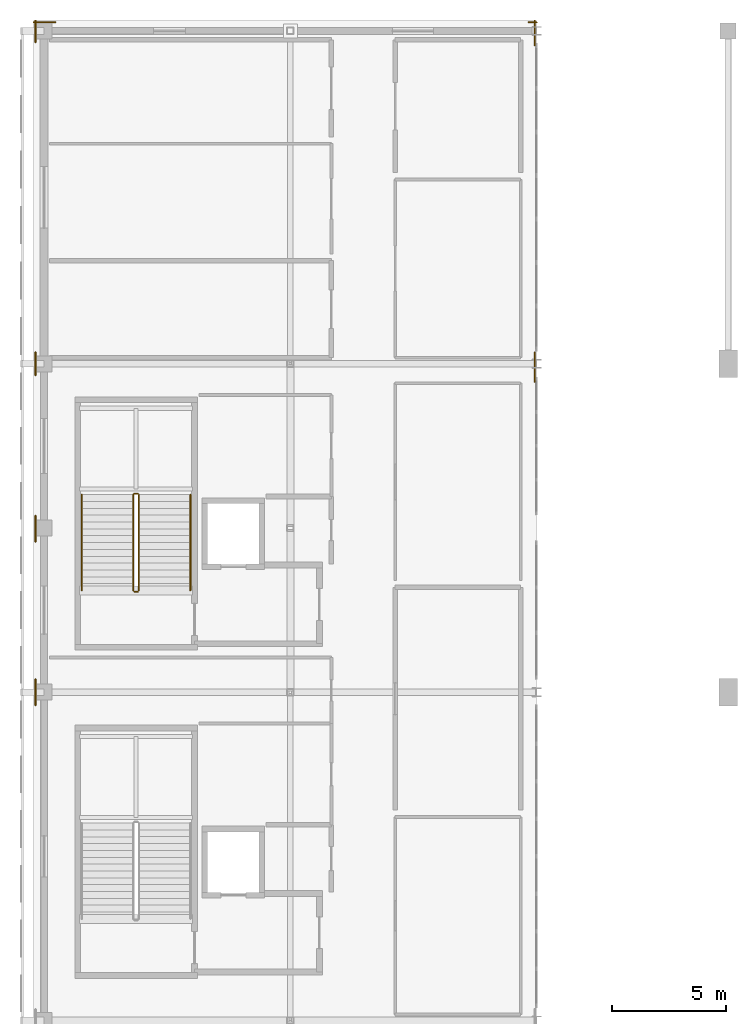
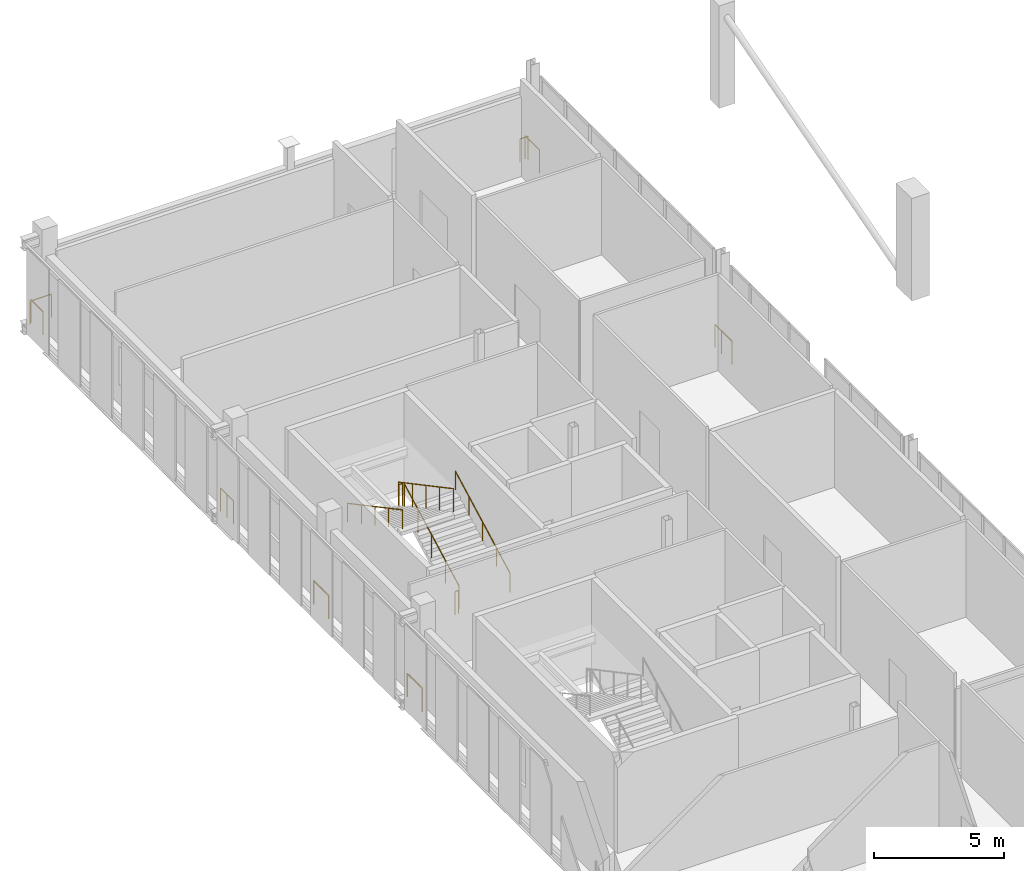
# One storey, part 47 of 51: 16 railings.
"""IFC4 building model written with IfcOpenShell, lengths in metres."""

from ifc_helpers import new_model, si_unit, direction, frame, origin, origin_2d, place, context, subcontext, project, spatial, circle, extrude, material, type_object, element, save


model = new_model("IFC4")

# Units and contexts
model_context = context("Model", 3, precision=1e-05, world=origin(), true_north=direction((0.0, 1.0)))
body_context = subcontext(model_context, "Body", "Model", "MODEL_VIEW")
ifc_project = project(units=[si_unit("LENGTHUNIT", "METRE"), si_unit("AREAUNIT", "SQUARE_METRE"), si_unit("VOLUMEUNIT", "CUBIC_METRE"), si_unit("PLANEANGLEUNIT", "RADIAN"), si_unit("MASSUNIT", "GRAM", prefix="KILO")], contexts=[model_context])

# Site, building, storey
site_placement = place(None, origin())
site = spatial("IfcSite", under=ifc_project, at=site_placement, CompositionType="ELEMENT")
building_placement = place(site_placement, origin())
building = spatial("IfcBuilding", under=site, at=building_placement, Name="Koshinbarg Plaza Stadium", CompositionType="ELEMENT")
storey_placement = place(building_placement, frame((0.0, 0.0, 24.60009765625)))
storey = spatial("IfcBuildingStorey", under=building, at=storey_placement, Name="L05", CompositionType="ELEMENT", Elevation=24.60009765625)

# Railings
ifc_material_1 = material(Name="Toughened laminated glass and stainless steel sightline balustrade", Category="steel")
railing_type_1 = type_object("IfcRailingType", Name="RL-BOWL-1100", PredefinedType="BALUSTRADE", material=ifc_material_1)
railing_1_placement = place(storey_placement, frame((24.22509765625, 96.927001953125, 0.0)))
element("IfcRailing", 1, at=railing_1_placement, inside=storey, type_object=railing_type_1, Name="L05 deck edge safety balustrade 0361", PredefinedType="BALUSTRADE", context=body_context, shape_type="SweptSolid", body=[
    extrude(circle(Radius=0.02392578125, at=origin_2d()), frame((0.0, 0.0, 1.076171875), z_axis=(0.0, 1.0, 0.0), x_axis=(-1.0, 0.0, 0.0)), (0.0, 0.0, 1.0), 1.14599609375),
    extrude(circle(Radius=0.02099609375, at=origin_2d()), origin(), (0.0, 0.0, 1.0), 1.052001953125),
    extrude(circle(Radius=0.02099609375, at=origin_2d()), frame((0.0, 1.14599609375, 0.0)), (0.0, 0.0, 1.0), 1.052001953125),
])
railing_2_placement = place(storey_placement, frame((24.22509765625, 104.089599609375, 0.0)))
element("IfcRailing", 2, at=railing_2_placement, inside=storey, type_object=railing_type_1, Name="L05 deck edge safety balustrade 0362", PredefinedType="BALUSTRADE", context=body_context, shape_type="SweptSolid", body=[
    extrude(circle(Radius=0.02392578125, at=origin_2d()), frame((0.0, 0.0, 1.076171875), z_axis=(0.0, 1.0, 0.0), x_axis=(-1.0, 0.0, 0.0)), (0.0, 0.0, 1.0), 1.146240234375),
    extrude(circle(Radius=0.02099609375, at=origin_2d()), origin(), (0.0, 0.0, 1.0), 1.052001953125),
    extrude(circle(Radius=0.02099609375, at=origin_2d()), frame((0.0, 1.146240234375, 0.0)), (0.0, 0.0, 1.0), 1.052001953125),
])
railing_3_placement = place(storey_placement, frame((24.22509765625, 111.401611328125, 0.0)))
element("IfcRailing", 3, at=railing_3_placement, inside=storey, type_object=railing_type_1, Name="L05 deck edge safety balustrade 0363", PredefinedType="BALUSTRADE", context=body_context, shape_type="SweptSolid", body=[
    extrude(circle(Radius=0.02392578125, at=origin_2d()), frame((0.0, 0.0, 1.076171875), z_axis=(0.0, 1.0, 0.0), x_axis=(-1.0, 0.0, 0.0)), (0.0, 0.0, 1.0), 0.498291015625),
    extrude(circle(Radius=0.02099609375, at=origin_2d()), origin(), (0.0, 0.0, 1.0), 1.052001953125),
    extrude(circle(Radius=0.02099609375, at=origin_2d()), frame((0.0, 0.498291015625, 0.0)), (0.0, 0.0, 1.0), 1.052001953125),
])
railing_4_placement = place(storey_placement, frame((46.1201171875, 111.89990234375, 0.0)))
element("IfcRailing", 4, at=railing_4_placement, inside=storey, type_object=railing_type_1, Name="L05 deck edge safety balustrade 0364", PredefinedType="BALUSTRADE", context=body_context, shape_type="SweptSolid", body=[
    extrude(circle(Radius=0.02392578125, at=origin_2d()), frame((0.0, 0.0, 1.076171875), z_axis=(0.0, -1.0, 0.0), x_axis=(1.0, 0.0, 0.0)), (0.0, 0.0, 1.0), 0.796875),
    extrude(circle(Radius=0.02099609375, at=origin_2d()), origin(), (0.0, 0.0, 1.0), 1.052001953125),
    extrude(circle(Radius=0.02099609375, at=origin_2d()), frame((0.0, -0.796875, 0.0)), (0.0, 0.0, 1.0), 1.052001953125),
])
railing_5_placement = place(storey_placement, frame((24.22509765625, 111.89990234375, 0.0)))
element("IfcRailing", 5, at=railing_5_placement, inside=storey, type_object=railing_type_1, Name="L05 deck edge safety balustrade 0366", PredefinedType="BALUSTRADE", context=body_context, shape_type="SweptSolid", body=[
    extrude(circle(Radius=0.02392578125, at=origin_2d()), frame((0.0, 0.0, 1.076171875), z_axis=(0.0, 1.0, 0.0), x_axis=(-1.0, 0.0, 0.0)), (0.0, 0.0, 1.0), 0.498291015625),
    extrude(circle(Radius=0.02099609375, at=origin_2d()), origin(), (0.0, 0.0, 1.0), 1.052001953125),
    extrude(circle(Radius=0.02099609375, at=origin_2d()), frame((0.0, 0.498291015625, 0.0)), (0.0, 0.0, 1.0), 1.052001953125),
])
railing_6_placement = place(storey_placement, frame((24.22509765625, 126.009765625, 0.0)))
element("IfcRailing", 6, at=railing_6_placement, inside=storey, type_object=railing_type_1, Name="L05 deck edge safety balustrade 0367", PredefinedType="BALUSTRADE", context=body_context, shape_type="SweptSolid", body=[
    extrude(circle(Radius=0.02392578125, at=origin_2d()), frame((0.0, 0.0, 1.076171875), z_axis=(0.0, 1.0, 0.0), x_axis=(-1.0, 0.0, 0.0)), (0.0, 0.0, 1.0), 0.9453125),
    extrude(circle(Radius=0.02099609375, at=origin_2d()), origin(), (0.0, 0.0, 1.0), 1.052001953125),
    extrude(circle(Radius=0.02099609375, at=origin_2d()), frame((0.0, 0.9453125, 0.0)), (0.0, 0.0, 1.0), 1.052001953125),
])
railing_7_placement = place(storey_placement, frame((24.14501953125, 126.875, 0.0)))
element("IfcRailing", 7, at=railing_7_placement, inside=storey, type_object=railing_type_1, Name="L05 deck edge safety balustrade 0368", PredefinedType="BALUSTRADE", context=body_context, shape_type="SweptSolid", body=[
    extrude(circle(Radius=0.02392578125, at=origin_2d()), frame((0.0, 0.0, 1.076171875), z_axis=(1.0, 0.0, 0.0), x_axis=(0.0, 1.0, 0.0)), (0.0, 0.0, 1.0), 0.945068359375),
    extrude(circle(Radius=0.02099609375, at=origin_2d()), origin(), (0.0, 0.0, 1.0), 1.052001953125),
    extrude(circle(Radius=0.02099609375, at=origin_2d()), frame((0.945068359375, 0.0, 0.0)), (0.0, 0.0, 1.0), 1.052001953125),
])
railing_8_placement = place(storey_placement, frame((45.85107421875, 126.875, 0.0)))
element("IfcRailing", 8, at=railing_8_placement, inside=storey, type_object=railing_type_1, Name="L05 deck edge safety balustrade 0369", PredefinedType="BALUSTRADE", context=body_context, shape_type="SweptSolid", body=[
    extrude(circle(Radius=0.02392578125, at=origin_2d()), frame((0.0, 0.0, 1.076171875), z_axis=(1.0, 0.0, 0.0), x_axis=(0.0, 1.0, 0.0)), (0.0, 0.0, 1.0), 0.348876953125),
    extrude(circle(Radius=0.02099609375, at=origin_2d()), origin(), (0.0, 0.0, 1.0), 1.052001953125),
    extrude(circle(Radius=0.02099609375, at=origin_2d()), frame((0.348876953125, 0.0, 0.0)), (0.0, 0.0, 1.0), 1.052001953125),
])
railing_9_placement = place(storey_placement, frame((46.1201171875, 126.955078125, 0.0)))
element("IfcRailing", 9, at=railing_9_placement, inside=storey, type_object=railing_type_1, Name="L05 deck edge safety balustrade 0370", PredefinedType="BALUSTRADE", context=body_context, shape_type="SweptSolid", body=[
    extrude(circle(Radius=0.02392578125, at=origin_2d()), frame((0.0, 0.0, 1.076171875), z_axis=(0.0, -1.0, 0.0), x_axis=(1.0, 0.0, 0.0)), (0.0, 0.0, 1.0), 1.094482421875),
    extrude(circle(Radius=0.02099609375, at=origin_2d()), origin(), (0.0, 0.0, 1.0), 1.052001953125),
    extrude(circle(Radius=0.02099609375, at=origin_2d()), frame((0.0, -1.094482421875, 0.0)), (0.0, 0.0, 1.0), 1.052001953125),
])
railing_10_placement = place(storey_placement, frame((46.1201171875, 112.398193359375, 0.0)))
element("IfcRailing", 10, at=railing_10_placement, inside=storey, type_object=railing_type_1, Name="L05 deck edge safety balustrade 0371", PredefinedType="BALUSTRADE", context=body_context, shape_type="SweptSolid", body=[
    extrude(circle(Radius=0.02392578125, at=origin_2d()), frame((0.0, 0.0, 1.076171875), z_axis=(0.0, -1.0, 0.0), x_axis=(1.0, 0.0, 0.0)), (0.0, 0.0, 1.0), 0.498291015625),
    extrude(circle(Radius=0.02099609375, at=origin_2d()), origin(), (0.0, 0.0, 1.0), 1.052001953125),
    extrude(circle(Radius=0.02099609375, at=origin_2d()), frame((0.0, -0.498291015625, 0.0)), (0.0, 0.0, 1.0), 1.052001953125),
])
ifc_material_2 = material(Name="Galvanized painted steel guardrail", Category="steel")
railing_type_2 = type_object("IfcRailingType", Name="RL-GUARD-1100", PredefinedType="GUARDRAIL", material=ifc_material_2)
railing_11_placement = place(storey_placement, frame((28.760009765625, 101.9599609375, 0.159912109375)))
element("IfcRailing", 11, at=railing_11_placement, inside=storey, type_object=railing_type_2, Name="L05 C06 stair guard 1", PredefinedType="GUARDRAIL", context=body_context, shape_type="SweptSolid", body=[
    extrude(circle(Radius=0.02392578125, at=origin_2d()), frame((0.0, 0.0, 1.076171875), z_axis=(0.0, 0.882351521365, 0.470590897432), x_axis=(-1.0, 0.0, 0.0)), (0.0, 0.0, 1.0), 4.760009765625),
    extrude(circle(Radius=0.02099609375, at=origin_2d()), origin(), (0.0, 0.0, 1.0), 1.052001953125),
    extrude(circle(Radius=0.02099609375, at=origin_2d()), frame((0.0, 1.050048828125, 0.56005859375)), (0.0, 0.0, 1.0), 1.052001953125),
    extrude(circle(Radius=0.02099609375, at=origin_2d()), frame((0.0, 2.10009765625, 1.1201171875)), (0.0, 0.0, 1.0), 1.052001953125),
    extrude(circle(Radius=0.02099609375, at=origin_2d()), frame((0.0, 3.14990234375, 1.679931640625)), (0.0, 0.0, 1.0), 1.052001953125),
    extrude(circle(Radius=0.02099609375, at=origin_2d()), frame((0.0, 4.199951171875, 2.239990234375)), (0.0, 0.0, 1.0), 1.052001953125),
])
railing_12_placement = place(storey_placement, frame((28.7099609375, 106.2099609375, 2.39990234375)))
element("IfcRailing", 12, at=railing_12_placement, inside=storey, type_object=railing_type_2, Name="L05 C06 stair guard 2", PredefinedType="GUARDRAIL", context=body_context, shape_type="SweptSolid", body=[
    extrude(circle(Radius=0.02392578125, at=origin_2d()), frame((0.0, 0.0, 1.076171875), z_axis=(-1.0, 0.0, 0.0), x_axis=(0.0, -1.0, 0.0)), (0.0, 0.0, 1.0), 0.14990234375),
    extrude(circle(Radius=0.02099609375, at=origin_2d()), origin(), (0.0, 0.0, 1.0), 1.052001953125),
    extrude(circle(Radius=0.02099609375, at=origin_2d()), frame((-0.14990234375, 0.0, 0.0)), (0.0, 0.0, 1.0), 1.052001953125),
])
railing_13_placement = place(storey_placement, frame((28.510009765625, 106.159912109375, 2.559814453125)))
element("IfcRailing", 13, at=railing_13_placement, inside=storey, type_object=railing_type_2, Name="L05 C06 stair guard 3", PredefinedType="GUARDRAIL", context=body_context, shape_type="SweptSolid", body=[
    extrude(circle(Radius=0.02392578125, at=origin_2d()), frame((0.0, 0.0, 1.076171875), z_axis=(0.0, -0.882351521365, 0.470590897432), x_axis=(1.0, 0.0, 0.0)), (0.0, 0.0, 1.0), 4.760009765625),
    extrude(circle(Radius=0.02099609375, at=origin_2d()), origin(), (0.0, 0.0, 1.0), 1.052001953125),
    extrude(circle(Radius=0.02099609375, at=origin_2d()), frame((0.0, -1.050048828125, 0.56005859375)), (0.0, 0.0, 1.0), 1.052001953125),
    extrude(circle(Radius=0.02099609375, at=origin_2d()), frame((0.0, -2.10009765625, 1.1201171875)), (0.0, 0.0, 1.0), 1.052001953125),
    extrude(circle(Radius=0.02099609375, at=origin_2d()), frame((0.0, -3.14990234375, 1.679931640625)), (0.0, 0.0, 1.0), 1.052001953125),
    extrude(circle(Radius=0.02099609375, at=origin_2d()), frame((0.0, -4.199951171875, 2.239990234375)), (0.0, 0.0, 1.0), 1.052001953125),
])
railing_14_placement = place(storey_placement, frame((28.7099609375, 101.909912109375, 0.0)))
element("IfcRailing", 14, at=railing_14_placement, inside=storey, type_object=railing_type_2, Name="L05 C06 stair guard 4", PredefinedType="GUARDRAIL", context=body_context, shape_type="SweptSolid", body=[
    extrude(circle(Radius=0.02392578125, at=origin_2d()), frame((0.0, 0.0, 1.076171875), z_axis=(-1.0, 0.0, 0.0), x_axis=(0.0, -1.0, 0.0)), (0.0, 0.0, 1.0), 0.14990234375),
    extrude(circle(Radius=0.02099609375, at=origin_2d()), origin(), (0.0, 0.0, 1.0), 1.052001953125),
    extrude(circle(Radius=0.02099609375, at=origin_2d()), frame((-0.14990234375, 0.0, 0.0)), (0.0, 0.0, 1.0), 1.052001953125),
])
ifc_material_3 = material(Name="Brushed stainless steel handrail", Category="steel")
railing_type_3 = type_object("IfcRailingType", Name="RL-HAND-900", PredefinedType="HANDRAIL", material=ifc_material_3)
railing_15_placement = place(storey_placement, frame((31.02001953125, 101.9599609375, 0.159912109375)))
element("IfcRailing", 15, at=railing_15_placement, inside=storey, type_object=railing_type_3, Name="L05 C06 stair handrail 1", PredefinedType="HANDRAIL", context=body_context, shape_type="SweptSolid", body=[
    extrude(circle(Radius=0.02392578125, at=origin_2d()), frame((0.0, 0.0, 0.8759765625), z_axis=(0.0, 0.882351521365, 0.470590897432), x_axis=(-1.0, 0.0, 0.0)), (0.0, 0.0, 1.0), 4.760009765625),
    extrude(circle(Radius=0.02099609375, at=origin_2d()), origin(), (0.0, 0.0, 1.0), 0.851806640625),
    extrude(circle(Radius=0.02099609375, at=origin_2d()), frame((0.0, 1.050048828125, 0.56005859375)), (0.0, 0.0, 1.0), 0.851806640625),
    extrude(circle(Radius=0.02099609375, at=origin_2d()), frame((0.0, 2.10009765625, 1.1201171875)), (0.0, 0.0, 1.0), 0.851806640625),
    extrude(circle(Radius=0.02099609375, at=origin_2d()), frame((0.0, 3.14990234375, 1.679931640625)), (0.0, 0.0, 1.0), 0.851806640625),
    extrude(circle(Radius=0.02099609375, at=origin_2d()), frame((0.0, 4.199951171875, 2.239990234375)), (0.0, 0.0, 1.0), 0.851806640625),
])
railing_16_placement = place(storey_placement, frame((26.25, 106.159912109375, 2.559814453125)))
element("IfcRailing", 16, at=railing_16_placement, inside=storey, type_object=railing_type_3, Name="L05 C06 stair handrail 2", PredefinedType="HANDRAIL", context=body_context, shape_type="SweptSolid", body=[
    extrude(circle(Radius=0.02392578125, at=origin_2d()), frame((0.0, 0.0, 0.8759765625), z_axis=(0.0, -0.882351521365, 0.470590897432), x_axis=(1.0, 0.0, 0.0)), (0.0, 0.0, 1.0), 4.760009765625),
    extrude(circle(Radius=0.02099609375, at=origin_2d()), origin(), (0.0, 0.0, 1.0), 0.851806640625),
    extrude(circle(Radius=0.02099609375, at=origin_2d()), frame((0.0, -1.050048828125, 0.56005859375)), (0.0, 0.0, 1.0), 0.851806640625),
    extrude(circle(Radius=0.02099609375, at=origin_2d()), frame((0.0, -2.10009765625, 1.1201171875)), (0.0, 0.0, 1.0), 0.851806640625),
    extrude(circle(Radius=0.02099609375, at=origin_2d()), frame((0.0, -3.14990234375, 1.679931640625)), (0.0, 0.0, 1.0), 0.851806640625),
    extrude(circle(Radius=0.02099609375, at=origin_2d()), frame((0.0, -4.199951171875, 2.239990234375)), (0.0, 0.0, 1.0), 0.851806640625),
])

save(model, "model.ifc")
